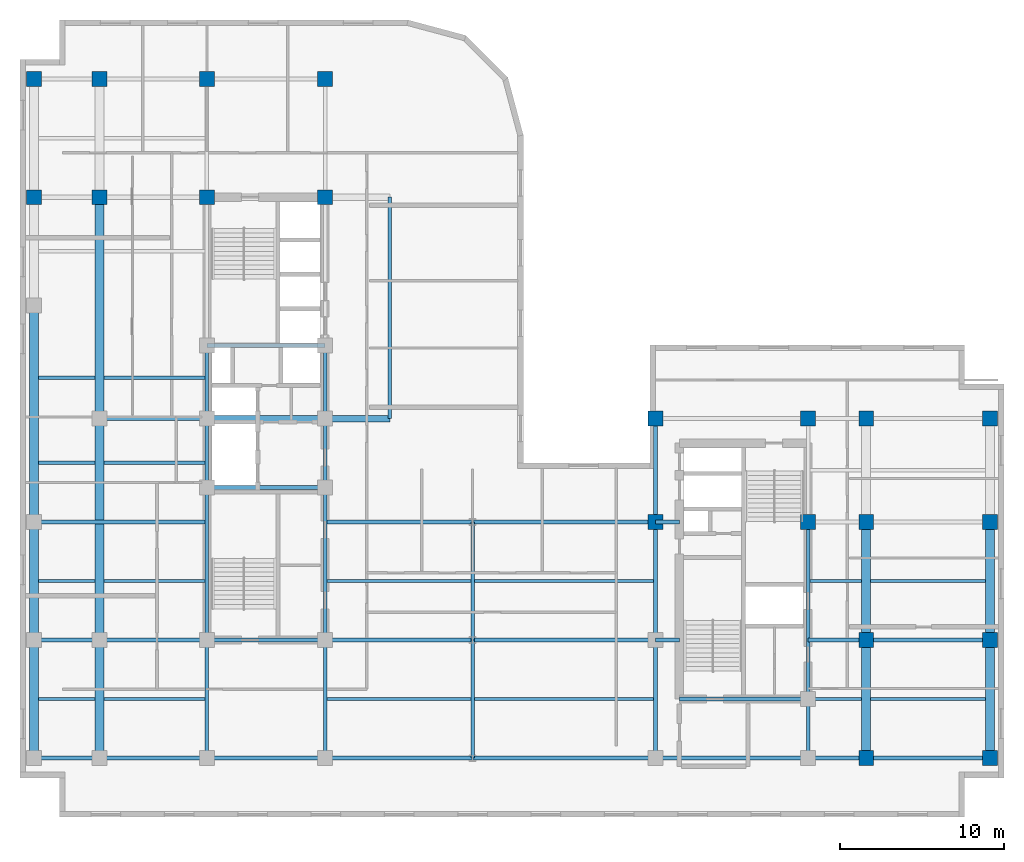
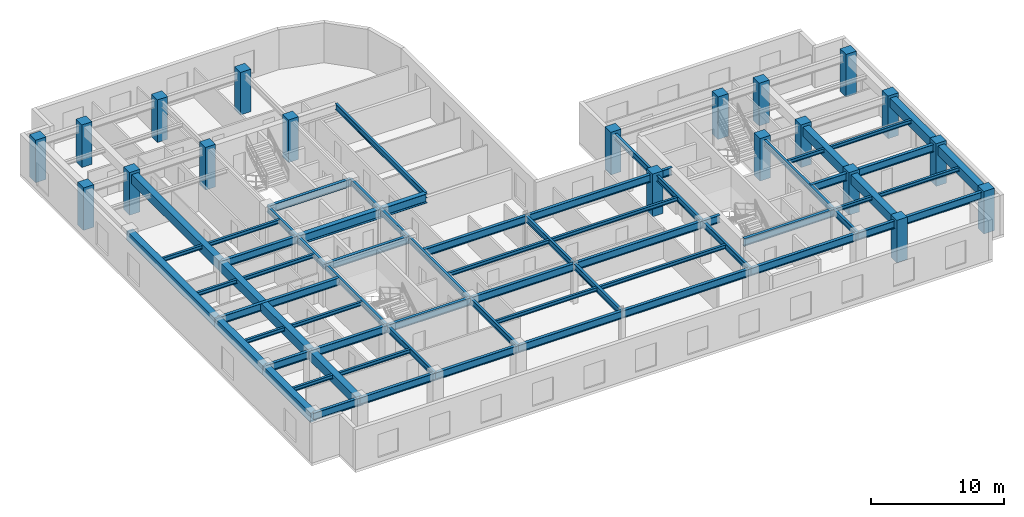
# One storey, part 2 of 11: 67 beams, 20 columns.
"""IFC4 building model written with IfcOpenShell, lengths in metres."""

from ifc_helpers import new_model, entity, si_unit, converted_unit, direction, frame, origin_with_axes, origin_2d_with_axis, place, context, subcontext, project, spatial, rectangle, i_section, extrude, material, material_profile, profile_set, type_object, element, save


model = new_model("IFC4")

# Units and contexts
model_context = context("Model", 3, precision=1e-05, world=origin_with_axes(), true_north=direction((0.0, 1.0)))
body_context = subcontext(model_context, "Body", "Model", "MODEL_VIEW")
ifc_project = project(units=[si_unit("LENGTHUNIT", "METRE"), si_unit("AREAUNIT", "SQUARE_METRE"), si_unit("VOLUMEUNIT", "CUBIC_METRE"), converted_unit("PLANEANGLEUNIT", "DEGREE", entity("IfcPlaneAngleMeasure", 0.017453292519943295), si_unit("PLANEANGLEUNIT", "RADIAN"), dimensions=[0, 0, 0, 0, 0, 0, 0]), si_unit("MASSUNIT", "GRAM", prefix="KILO"), si_unit("THERMODYNAMICTEMPERATUREUNIT", "KELVIN")], contexts=[model_context])

# Site, building, storey
site_placement = place(None, origin_with_axes())
site = spatial("IfcSite", under=ifc_project, at=site_placement, CompositionType="ELEMENT")
building_placement = place(site_placement, origin_with_axes())
building = spatial("IfcBuilding", under=site, at=building_placement, Name="Varnlund Millrace Tower", CompositionType="ELEMENT")
storey_placement = place(building_placement, frame((0.0, 0.0, 208.2), z_axis=(0.0, 0.0, 1.0), x_axis=(1.0, 0.0, 0.0)))
storey = spatial("IfcBuildingStorey", under=building, at=storey_placement, Name="L51", CompositionType="ELEMENT", Elevation=208.2)

# Columns
ifc_material_1 = material(Name="Concrete C70/85", Category="concrete")
ifc_material_profile_1 = material_profile(ifc_material_1, rectangle(XDim=0.9, YDim=0.9, at=origin_2d_with_axis()), Name="Concrete C70/85")
ifc_profile_set_1 = profile_set([ifc_material_profile_1], Name="Concrete C70/85")
column_type = type_object("IfcColumnType", Name="Type-Col-RC900-C70", PredefinedType="COLUMN", material=ifc_profile_set_1)
for number, where, z_axis, x_axis, name in (
    (1, (11.4, 37.8, 0.0), (0.0, 0.0, 1.0), (1.0, 0.0, 0.0), "Type-Col-RC900-C70"),
    (2, (11.4, 45.0, 0.0), (0.0, 0.0, 1.0), (1.0, 0.0, 0.0), "Type-Col-RC900-C70"),
    (3, (18.6, 37.8, 0.0), (0.0, 0.0, 1.0), (1.0, 0.0, 0.0), "Type-Col-RC900-C70"),
    (4, (18.6, 45.0, 0.0), (0.0, 0.0, 1.0), (1.0, 0.0, 0.0), "Type-Col-RC900-C70"),
    (5, (4.85, 37.8, 0.0), (0.0, 0.0, 1.0), (1.0, 0.0, 0.0), "Type-Col-RC900-C70"),
    (6, (4.85, 45.0, 0.0), (0.0, 0.0, 1.0), (1.0, 0.0, 0.0), "Type-Col-RC900-C70"),
    (7, (0.85, 37.8, 0.0), (0.0, 0.0, 1.0), (1.0, 0.0, 0.0), "Type-Col-RC900-C70"),
    (8, (0.85, 45.0, 0.0), (0.0, 0.0, 1.0), (1.0, 0.0, 0.0), "Type-Col-RC900-C70"),
    (9, (38.75, 18.0, 0.0), (0.0, 0.0, 1.0), (1.0, 0.0, 0.0), "Type-Col-RC900-C70"),
    (10, (38.75, 24.3, 0.0), (0.0, 0.0, 1.0), (1.0, 0.0, 0.0), "Type-Col-RC900-C70"),
    (11, (48.05, 18.0, 0.0), (0.0, 0.0, 1.0), (1.0, 0.0, 0.0), "Type-Col-RC900-C70"),
    (12, (48.05, 24.3, 0.0), (0.0, 0.0, 1.0), (1.0, 0.0, 0.0), "Type-Col-RC900-C70"),
    (13, (51.6, 3.6, 0.0), (0.0, 0.0, 1.0), (1.0, 0.0, 0.0), "Type-Col-RC900-C70"),
    (14, (51.6, 10.8, 0.0), (0.0, 0.0, 1.0), (1.0, 0.0, 0.0), "Type-Col-RC900-C70"),
    (15, (51.6, 18.0, 0.0), (0.0, 0.0, 1.0), (1.0, 0.0, 0.0), "Type-Col-RC900-C70"),
    (16, (51.6, 24.3, 0.0), (0.0, 0.0, 1.0), (1.0, 0.0, 0.0), "Type-Col-RC900-C70"),
    (17, (59.15, 3.6, 0.0), (0.0, 0.0, 1.0), (1.0, 0.0, 0.0), "Type-Col-RC900-C70"),
    (18, (59.15, 10.8, 0.0), (0.0, 0.0, 1.0), (1.0, 0.0, 0.0), "Type-Col-RC900-C70"),
    (19, (59.15, 18.0, 0.0), (0.0, 0.0, 1.0), (1.0, 0.0, 0.0), "Type-Col-RC900-C70"),
    (20, (59.15, 24.3, 0.0), (0.0, 0.0, 1.0), (1.0, 0.0, 0.0), "Type-Col-RC900-C70"),
):
    element("IfcColumn", number, at=place(storey_placement, frame(where, z_axis=z_axis, x_axis=x_axis)), inside=storey, type_object=column_type, Name=name, PredefinedType="COLUMN", context=body_context, shape_type="SweptSolid", body=[
        extrude(rectangle(XDim=0.9, YDim=0.9, at=origin_2d_with_axis()), origin_with_axes(), (0.0, 0.0, 1.0), 3.9),
    ])

# Beams
ifc_material_2 = material(Name="Steel ASTM A992 Grade 50", Category="steel")
ifc_material_profile_2 = material_profile(ifc_material_2, i_section(OverallWidth=0.209, OverallDepth=0.533, WebThickness=0.0102, FlangeThickness=0.0156, FilletRadius=0.014, at=origin_2d_with_axis()), Name="Steel ASTM A992 Grade 50")
ifc_profile_set_2 = profile_set([ifc_material_profile_2], Name="Steel ASTM A992 Grade 50")
beam_type_1 = type_object("IfcBeamType", Name="Type-Beam-W21X62", PredefinedType="BEAM", material=ifc_profile_set_2)
beam_1_placement = place(storey_placement, frame((22.55, 24.3, 3.3935), z_axis=(0.0, 1.0, 0.0), x_axis=(-1.0, 0.0, 0.0)))
element("IfcBeam", 21, at=beam_1_placement, inside=storey, type_object=beam_type_1, Name="Type-Beam-W21X62", PredefinedType="BEAM", context=body_context, shape_type="SweptSolid", body=[
    extrude(i_section(OverallWidth=0.209, OverallDepth=0.533, WebThickness=0.0102, FlangeThickness=0.0156, FilletRadius=0.014, at=origin_2d_with_axis()), origin_with_axes(), (0.0, 0.0, 1.0), 13.5),
])
ifc_material_profile_3 = material_profile(ifc_material_2, i_section(OverallWidth=0.214, OverallDepth=0.549, WebThickness=0.0147, FlangeThickness=0.0236, FilletRadius=0.015, at=origin_2d_with_axis()), Name="Steel ASTM A992 Grade 50")
ifc_profile_set_3 = profile_set([ifc_material_profile_3], Name="Steel ASTM A992 Grade 50")
beam_type_2 = type_object("IfcBeamType", Name="Type-Beam-W21X93", PredefinedType="BEAM", material=ifc_profile_set_3)
beam_2_placement = place(storey_placement, frame((11.4, 3.6, 3.3855), z_axis=(0.0, 1.0, 0.0), x_axis=(-1.0, 0.0, 0.0)))
element("IfcBeam", 22, at=beam_2_placement, inside=storey, type_object=beam_type_2, Name="Type-Beam-W21X93", PredefinedType="BEAM", context=body_context, shape_type="SweptSolid", body=[
    extrude(i_section(OverallWidth=0.214, OverallDepth=0.549, WebThickness=0.0147, FlangeThickness=0.0236, FilletRadius=0.015, at=origin_2d_with_axis()), origin_with_axes(), (0.0, 0.0, 1.0), 7.2),
])
beam_3_placement = place(storey_placement, frame((11.4, 10.8, 3.3855), z_axis=(0.0, 1.0, 0.0), x_axis=(-1.0, 0.0, 0.0)))
element("IfcBeam", 23, at=beam_3_placement, inside=storey, type_object=beam_type_2, Name="Type-Beam-W21X93", PredefinedType="BEAM", context=body_context, shape_type="SweptSolid", body=[
    extrude(i_section(OverallWidth=0.214, OverallDepth=0.549, WebThickness=0.0147, FlangeThickness=0.0236, FilletRadius=0.015, at=origin_2d_with_axis()), origin_with_axes(), (0.0, 0.0, 1.0), 9.3),
])
beam_4_placement = place(storey_placement, frame((11.4, 20.1, 3.3855), z_axis=(0.0, 1.0, 0.0), x_axis=(-1.0, 0.0, 0.0)))
element("IfcBeam", 24, at=beam_4_placement, inside=storey, type_object=beam_type_2, Name="Type-Beam-W21X93", PredefinedType="BEAM", context=body_context, shape_type="SweptSolid", body=[
    extrude(i_section(OverallWidth=0.214, OverallDepth=0.549, WebThickness=0.0147, FlangeThickness=0.0236, FilletRadius=0.015, at=origin_2d_with_axis()), origin_with_axes(), (0.0, 0.0, 1.0), 4.2),
])
beam_5_placement = place(storey_placement, frame((11.4, 24.3, 3.3855), z_axis=(0.0, 1.0, 0.0), x_axis=(-1.0, 0.0, 0.0)))
element("IfcBeam", 25, at=beam_5_placement, inside=storey, type_object=beam_type_2, Name="Type-Beam-W21X93", PredefinedType="BEAM", context=body_context, shape_type="SweptSolid", body=[
    extrude(i_section(OverallWidth=0.214, OverallDepth=0.549, WebThickness=0.0147, FlangeThickness=0.0236, FilletRadius=0.015, at=origin_2d_with_axis()), origin_with_axes(), (0.0, 0.0, 1.0), 4.45),
])
beam_6_placement = place(storey_placement, frame((18.6, 3.6, 3.3855), z_axis=(0.0, 1.0, 0.0), x_axis=(-1.0, 0.0, 0.0)))
element("IfcBeam", 26, at=beam_6_placement, inside=storey, type_object=beam_type_2, Name="Type-Beam-W21X93", PredefinedType="BEAM", context=body_context, shape_type="SweptSolid", body=[
    extrude(i_section(OverallWidth=0.214, OverallDepth=0.549, WebThickness=0.0147, FlangeThickness=0.0236, FilletRadius=0.015, at=origin_2d_with_axis()), origin_with_axes(), (0.0, 0.0, 1.0), 7.2),
])
beam_7_placement = place(storey_placement, frame((18.6, 10.8, 3.3855), z_axis=(0.0, 1.0, 0.0), x_axis=(-1.0, 0.0, 0.0)))
element("IfcBeam", 27, at=beam_7_placement, inside=storey, type_object=beam_type_2, Name="Type-Beam-W21X93", PredefinedType="BEAM", context=body_context, shape_type="SweptSolid", body=[
    extrude(i_section(OverallWidth=0.214, OverallDepth=0.549, WebThickness=0.0147, FlangeThickness=0.0236, FilletRadius=0.015, at=origin_2d_with_axis()), origin_with_axes(), (0.0, 0.0, 1.0), 9.3),
])
beam_8_placement = place(storey_placement, frame((18.6, 20.1, 3.3855), z_axis=(0.0, 1.0, 0.0), x_axis=(-1.0, 0.0, 0.0)))
element("IfcBeam", 28, at=beam_8_placement, inside=storey, type_object=beam_type_2, Name="Type-Beam-W21X93", PredefinedType="BEAM", context=body_context, shape_type="SweptSolid", body=[
    extrude(i_section(OverallWidth=0.214, OverallDepth=0.549, WebThickness=0.0147, FlangeThickness=0.0236, FilletRadius=0.015, at=origin_2d_with_axis()), origin_with_axes(), (0.0, 0.0, 1.0), 4.2),
])
beam_9_placement = place(storey_placement, frame((18.6, 24.3, 3.3855), z_axis=(0.0, 1.0, 0.0), x_axis=(-1.0, 0.0, 0.0)))
element("IfcBeam", 29, at=beam_9_placement, inside=storey, type_object=beam_type_2, Name="Type-Beam-W21X93", PredefinedType="BEAM", context=body_context, shape_type="SweptSolid", body=[
    extrude(i_section(OverallWidth=0.214, OverallDepth=0.549, WebThickness=0.0147, FlangeThickness=0.0236, FilletRadius=0.015, at=origin_2d_with_axis()), origin_with_axes(), (0.0, 0.0, 1.0), 4.45),
])
for number, where, z_axis, x_axis, name in (
    (30, (27.6, 3.6, 3.3855), (0.0, 1.0, 0.0), (-1.0, 0.0, 0.0), "Type-Beam-W21X93"),
    (31, (27.6, 10.8, 3.3855), (0.0, 1.0, 0.0), (-1.0, 0.0, 0.0), "Type-Beam-W21X93"),
    (32, (38.75, 3.6, 3.3855), (0.0, 1.0, 0.0), (-1.0, 0.0, 0.0), "Type-Beam-W21X93"),
    (33, (38.75, 10.8, 3.3855), (0.0, 1.0, 0.0), (-1.0, 0.0, 0.0), "Type-Beam-W21X93"),
):
    element("IfcBeam", number, at=place(storey_placement, frame(where, z_axis=z_axis, x_axis=x_axis)), inside=storey, type_object=beam_type_2, Name=name, PredefinedType="BEAM", context=body_context, shape_type="SweptSolid", body=[
        extrude(i_section(OverallWidth=0.214, OverallDepth=0.549, WebThickness=0.0147, FlangeThickness=0.0236, FilletRadius=0.015, at=origin_2d_with_axis()), origin_with_axes(), (0.0, 0.0, 1.0), 7.2),
    ])
beam_10_placement = place(storey_placement, frame((38.75, 18.0, 3.3855), z_axis=(0.0, 1.0, 0.0), x_axis=(-1.0, 0.0, 0.0)))
element("IfcBeam", 34, at=beam_10_placement, inside=storey, type_object=beam_type_2, Name="Type-Beam-W21X93", PredefinedType="BEAM", context=body_context, shape_type="SweptSolid", body=[
    extrude(i_section(OverallWidth=0.214, OverallDepth=0.549, WebThickness=0.0147, FlangeThickness=0.0236, FilletRadius=0.015, at=origin_2d_with_axis()), origin_with_axes(), (0.0, 0.0, 1.0), 6.3),
])
beam_11_placement = place(storey_placement, frame((48.05, 3.6, 3.3855), z_axis=(0.0, 1.0, 0.0), x_axis=(-1.0, 0.0, 0.0)))
element("IfcBeam", 35, at=beam_11_placement, inside=storey, type_object=beam_type_2, Name="Type-Beam-W21X93", PredefinedType="BEAM", context=body_context, shape_type="SweptSolid", body=[
    extrude(i_section(OverallWidth=0.214, OverallDepth=0.549, WebThickness=0.0147, FlangeThickness=0.0236, FilletRadius=0.015, at=origin_2d_with_axis()), origin_with_axes(), (0.0, 0.0, 1.0), 3.6),
])
beam_12_placement = place(storey_placement, frame((48.05, 7.2, 3.3855), z_axis=(0.0, 1.0, 0.0), x_axis=(-1.0, 0.0, 0.0)))
element("IfcBeam", 36, at=beam_12_placement, inside=storey, type_object=beam_type_2, Name="Type-Beam-W21X93", PredefinedType="BEAM", context=body_context, shape_type="SweptSolid", body=[
    extrude(i_section(OverallWidth=0.214, OverallDepth=0.549, WebThickness=0.0147, FlangeThickness=0.0236, FilletRadius=0.015, at=origin_2d_with_axis()), origin_with_axes(), (0.0, 0.0, 1.0), 10.8),
])
ifc_material_profile_4 = material_profile(ifc_material_2, i_section(OverallWidth=0.256, OverallDepth=0.693, WebThickness=0.0145, FlangeThickness=0.0236, FilletRadius=0.018, at=origin_2d_with_axis()), Name="Steel ASTM A992 Grade 50")
ifc_profile_set_4 = profile_set([ifc_material_profile_4], Name="Steel ASTM A992 Grade 50")
beam_type_3 = type_object("IfcBeamType", Name="Type-Girder-W27X114", PredefinedType="USERDEFINED", material=ifc_profile_set_4)
beam_13_placement = place(storey_placement, frame((0.85, 3.6, 3.3135), z_axis=(1.0, 0.0, 0.0), x_axis=(0.0, 1.0, 0.0)))
element("IfcBeam", 37, at=beam_13_placement, inside=storey, type_object=beam_type_3, Name="Type-Girder-W27X114", ObjectType="GIRDER", PredefinedType="USERDEFINED", context=body_context, shape_type="SweptSolid", body=[
    extrude(i_section(OverallWidth=0.256, OverallDepth=0.693, WebThickness=0.0145, FlangeThickness=0.0236, FilletRadius=0.018, at=origin_2d_with_axis()), origin_with_axes(), (0.0, 0.0, 1.0), 4.0),
])
beam_14_placement = place(storey_placement, frame((4.85, 3.6, 3.3135), z_axis=(1.0, 0.0, 0.0), x_axis=(0.0, 1.0, 0.0)))
element("IfcBeam", 38, at=beam_14_placement, inside=storey, type_object=beam_type_3, Name="Type-Girder-W27X114", ObjectType="GIRDER", PredefinedType="USERDEFINED", context=body_context, shape_type="SweptSolid", body=[
    extrude(i_section(OverallWidth=0.256, OverallDepth=0.693, WebThickness=0.0145, FlangeThickness=0.0236, FilletRadius=0.018, at=origin_2d_with_axis()), origin_with_axes(), (0.0, 0.0, 1.0), 6.55),
])
beam_15_placement = place(storey_placement, frame((11.4, 3.6, 3.3135), z_axis=(1.0, 0.0, 0.0), x_axis=(0.0, 1.0, 0.0)))
element("IfcBeam", 39, at=beam_15_placement, inside=storey, type_object=beam_type_3, Name="Type-Girder-W27X114", ObjectType="GIRDER", PredefinedType="USERDEFINED", context=body_context, shape_type="SweptSolid", body=[
    extrude(i_section(OverallWidth=0.256, OverallDepth=0.693, WebThickness=0.0145, FlangeThickness=0.0236, FilletRadius=0.018, at=origin_2d_with_axis()), origin_with_axes(), (0.0, 0.0, 1.0), 7.2),
])
beam_16_placement = place(storey_placement, frame((18.6, 3.6, 3.3135), z_axis=(1.0, 0.0, 0.0), x_axis=(0.0, 1.0, 0.0)))
element("IfcBeam", 40, at=beam_16_placement, inside=storey, type_object=beam_type_3, Name="Type-Girder-W27X114", ObjectType="GIRDER", PredefinedType="USERDEFINED", context=body_context, shape_type="SweptSolid", body=[
    extrude(i_section(OverallWidth=0.256, OverallDepth=0.693, WebThickness=0.0145, FlangeThickness=0.0236, FilletRadius=0.018, at=origin_2d_with_axis()), origin_with_axes(), (0.0, 0.0, 1.0), 9.0),
])
beam_17_placement = place(storey_placement, frame((27.6, 3.6, 3.3135), z_axis=(1.0, 0.0, 0.0), x_axis=(0.0, 1.0, 0.0)))
element("IfcBeam", 41, at=beam_17_placement, inside=storey, type_object=beam_type_3, Name="Type-Girder-W27X114", ObjectType="GIRDER", PredefinedType="USERDEFINED", context=body_context, shape_type="SweptSolid", body=[
    extrude(i_section(OverallWidth=0.256, OverallDepth=0.693, WebThickness=0.0145, FlangeThickness=0.0236, FilletRadius=0.018, at=origin_2d_with_axis()), origin_with_axes(), (0.0, 0.0, 1.0), 11.15),
])
beam_18_placement = place(storey_placement, frame((38.75, 3.6, 3.3135), z_axis=(1.0, 0.0, 0.0), x_axis=(0.0, 1.0, 0.0)))
element("IfcBeam", 42, at=beam_18_placement, inside=storey, type_object=beam_type_3, Name="Type-Girder-W27X114", ObjectType="GIRDER", PredefinedType="USERDEFINED", context=body_context, shape_type="SweptSolid", body=[
    extrude(i_section(OverallWidth=0.256, OverallDepth=0.693, WebThickness=0.0145, FlangeThickness=0.0236, FilletRadius=0.018, at=origin_2d_with_axis()), origin_with_axes(), (0.0, 0.0, 1.0), 9.3),
])
beam_19_placement = place(storey_placement, frame((48.05, 3.6, 3.3135), z_axis=(1.0, 0.0, 0.0), x_axis=(0.0, 1.0, 0.0)))
element("IfcBeam", 43, at=beam_19_placement, inside=storey, type_object=beam_type_3, Name="Type-Girder-W27X114", ObjectType="GIRDER", PredefinedType="USERDEFINED", context=body_context, shape_type="SweptSolid", body=[
    extrude(i_section(OverallWidth=0.256, OverallDepth=0.693, WebThickness=0.0145, FlangeThickness=0.0236, FilletRadius=0.018, at=origin_2d_with_axis()), origin_with_axes(), (0.0, 0.0, 1.0), 3.55),
])
beam_20_placement = place(storey_placement, frame((51.6, 3.6, 3.3135), z_axis=(1.0, 0.0, 0.0), x_axis=(0.0, 1.0, 0.0)))
element("IfcBeam", 44, at=beam_20_placement, inside=storey, type_object=beam_type_3, Name="Type-Girder-W27X114", ObjectType="GIRDER", PredefinedType="USERDEFINED", context=body_context, shape_type="SweptSolid", body=[
    extrude(i_section(OverallWidth=0.256, OverallDepth=0.693, WebThickness=0.0145, FlangeThickness=0.0236, FilletRadius=0.018, at=origin_2d_with_axis()), origin_with_axes(), (0.0, 0.0, 1.0), 7.55),
])
beam_21_placement = place(storey_placement, frame((40.2, 7.2, 3.3135), z_axis=(1.0, 0.0, 0.0), x_axis=(0.0, 1.0, 0.0)))
element("IfcBeam", 45, at=beam_21_placement, inside=storey, type_object=beam_type_3, Name="Type-Girder-W27X114", ObjectType="GIRDER", PredefinedType="USERDEFINED", context=body_context, shape_type="SweptSolid", body=[
    extrude(i_section(OverallWidth=0.256, OverallDepth=0.693, WebThickness=0.0145, FlangeThickness=0.0236, FilletRadius=0.018, at=origin_2d_with_axis()), origin_with_axes(), (0.0, 0.0, 1.0), 7.85),
])
beam_22_placement = place(storey_placement, frame((0.85, 10.8, 3.3135), z_axis=(1.0, 0.0, 0.0), x_axis=(0.0, 1.0, 0.0)))
element("IfcBeam", 46, at=beam_22_placement, inside=storey, type_object=beam_type_3, Name="Type-Girder-W27X114", ObjectType="GIRDER", PredefinedType="USERDEFINED", context=body_context, shape_type="SweptSolid", body=[
    extrude(i_section(OverallWidth=0.256, OverallDepth=0.693, WebThickness=0.0145, FlangeThickness=0.0236, FilletRadius=0.018, at=origin_2d_with_axis()), origin_with_axes(), (0.0, 0.0, 1.0), 4.0),
])
beam_23_placement = place(storey_placement, frame((4.85, 10.8, 3.3135), z_axis=(1.0, 0.0, 0.0), x_axis=(0.0, 1.0, 0.0)))
element("IfcBeam", 47, at=beam_23_placement, inside=storey, type_object=beam_type_3, Name="Type-Girder-W27X114", ObjectType="GIRDER", PredefinedType="USERDEFINED", context=body_context, shape_type="SweptSolid", body=[
    extrude(i_section(OverallWidth=0.256, OverallDepth=0.693, WebThickness=0.0145, FlangeThickness=0.0236, FilletRadius=0.018, at=origin_2d_with_axis()), origin_with_axes(), (0.0, 0.0, 1.0), 6.55),
])
beam_24_placement = place(storey_placement, frame((11.4, 10.8, 3.3135), z_axis=(1.0, 0.0, 0.0), x_axis=(0.0, 1.0, 0.0)))
element("IfcBeam", 48, at=beam_24_placement, inside=storey, type_object=beam_type_3, Name="Type-Girder-W27X114", ObjectType="GIRDER", PredefinedType="USERDEFINED", context=body_context, shape_type="SweptSolid", body=[
    extrude(i_section(OverallWidth=0.256, OverallDepth=0.693, WebThickness=0.0145, FlangeThickness=0.0236, FilletRadius=0.018, at=origin_2d_with_axis()), origin_with_axes(), (0.0, 0.0, 1.0), 7.2),
])
beam_25_placement = place(storey_placement, frame((18.6, 10.8, 3.3135), z_axis=(1.0, 0.0, 0.0), x_axis=(0.0, 1.0, 0.0)))
element("IfcBeam", 49, at=beam_25_placement, inside=storey, type_object=beam_type_3, Name="Type-Girder-W27X114", ObjectType="GIRDER", PredefinedType="USERDEFINED", context=body_context, shape_type="SweptSolid", body=[
    extrude(i_section(OverallWidth=0.256, OverallDepth=0.693, WebThickness=0.0145, FlangeThickness=0.0236, FilletRadius=0.018, at=origin_2d_with_axis()), origin_with_axes(), (0.0, 0.0, 1.0), 9.0),
])
beam_26_placement = place(storey_placement, frame((27.6, 10.8, 3.3135), z_axis=(1.0, 0.0, 0.0), x_axis=(0.0, 1.0, 0.0)))
element("IfcBeam", 50, at=beam_26_placement, inside=storey, type_object=beam_type_3, Name="Type-Girder-W27X114", ObjectType="GIRDER", PredefinedType="USERDEFINED", context=body_context, shape_type="SweptSolid", body=[
    extrude(i_section(OverallWidth=0.256, OverallDepth=0.693, WebThickness=0.0145, FlangeThickness=0.0236, FilletRadius=0.018, at=origin_2d_with_axis()), origin_with_axes(), (0.0, 0.0, 1.0), 11.15),
])
beam_27_placement = place(storey_placement, frame((38.75, 10.8, 3.3135), z_axis=(1.0, 0.0, 0.0), x_axis=(0.0, 1.0, 0.0)))
element("IfcBeam", 51, at=beam_27_placement, inside=storey, type_object=beam_type_3, Name="Type-Girder-W27X114", ObjectType="GIRDER", PredefinedType="USERDEFINED", context=body_context, shape_type="SweptSolid", body=[
    extrude(i_section(OverallWidth=0.256, OverallDepth=0.693, WebThickness=0.0145, FlangeThickness=0.0236, FilletRadius=0.018, at=origin_2d_with_axis()), origin_with_axes(), (0.0, 0.0, 1.0), 1.45),
])
beam_28_placement = place(storey_placement, frame((48.05, 10.8, 3.3135), z_axis=(1.0, 0.0, 0.0), x_axis=(0.0, 1.0, 0.0)))
element("IfcBeam", 52, at=beam_28_placement, inside=storey, type_object=beam_type_3, Name="Type-Girder-W27X114", ObjectType="GIRDER", PredefinedType="USERDEFINED", context=body_context, shape_type="SweptSolid", body=[
    extrude(i_section(OverallWidth=0.256, OverallDepth=0.693, WebThickness=0.0145, FlangeThickness=0.0236, FilletRadius=0.018, at=origin_2d_with_axis()), origin_with_axes(), (0.0, 0.0, 1.0), 3.55),
])
beam_29_placement = place(storey_placement, frame((51.6, 10.8, 3.3135), z_axis=(1.0, 0.0, 0.0), x_axis=(0.0, 1.0, 0.0)))
element("IfcBeam", 53, at=beam_29_placement, inside=storey, type_object=beam_type_3, Name="Type-Girder-W27X114", ObjectType="GIRDER", PredefinedType="USERDEFINED", context=body_context, shape_type="SweptSolid", body=[
    extrude(i_section(OverallWidth=0.256, OverallDepth=0.693, WebThickness=0.0145, FlangeThickness=0.0236, FilletRadius=0.018, at=origin_2d_with_axis()), origin_with_axes(), (0.0, 0.0, 1.0), 7.55),
])
beam_30_placement = place(storey_placement, frame((0.85, 18.0, 3.3135), z_axis=(1.0, 0.0, 0.0), x_axis=(0.0, 1.0, 0.0)))
element("IfcBeam", 54, at=beam_30_placement, inside=storey, type_object=beam_type_3, Name="Type-Girder-W27X114", ObjectType="GIRDER", PredefinedType="USERDEFINED", context=body_context, shape_type="SweptSolid", body=[
    extrude(i_section(OverallWidth=0.256, OverallDepth=0.693, WebThickness=0.0145, FlangeThickness=0.0236, FilletRadius=0.018, at=origin_2d_with_axis()), origin_with_axes(), (0.0, 0.0, 1.0), 10.55),
])
beam_31_placement = place(storey_placement, frame((18.6, 18.0, 3.3135), z_axis=(1.0, 0.0, 0.0), x_axis=(0.0, 1.0, 0.0)))
element("IfcBeam", 55, at=beam_31_placement, inside=storey, type_object=beam_type_3, Name="Type-Girder-W27X114", ObjectType="GIRDER", PredefinedType="USERDEFINED", context=body_context, shape_type="SweptSolid", body=[
    extrude(i_section(OverallWidth=0.256, OverallDepth=0.693, WebThickness=0.0145, FlangeThickness=0.0236, FilletRadius=0.018, at=origin_2d_with_axis()), origin_with_axes(), (0.0, 0.0, 1.0), 9.0),
])
beam_32_placement = place(storey_placement, frame((27.6, 18.0, 3.3135), z_axis=(1.0, 0.0, 0.0), x_axis=(0.0, 1.0, 0.0)))
element("IfcBeam", 56, at=beam_32_placement, inside=storey, type_object=beam_type_3, Name="Type-Girder-W27X114", ObjectType="GIRDER", PredefinedType="USERDEFINED", context=body_context, shape_type="SweptSolid", body=[
    extrude(i_section(OverallWidth=0.256, OverallDepth=0.693, WebThickness=0.0145, FlangeThickness=0.0236, FilletRadius=0.018, at=origin_2d_with_axis()), origin_with_axes(), (0.0, 0.0, 1.0), 11.15),
])
beam_33_placement = place(storey_placement, frame((38.75, 18.0, 3.3135), z_axis=(1.0, 0.0, 0.0), x_axis=(0.0, 1.0, 0.0)))
element("IfcBeam", 57, at=beam_33_placement, inside=storey, type_object=beam_type_3, Name="Type-Girder-W27X114", ObjectType="GIRDER", PredefinedType="USERDEFINED", context=body_context, shape_type="SweptSolid", body=[
    extrude(i_section(OverallWidth=0.256, OverallDepth=0.693, WebThickness=0.0145, FlangeThickness=0.0236, FilletRadius=0.018, at=origin_2d_with_axis()), origin_with_axes(), (0.0, 0.0, 1.0), 1.45),
])
beam_34_placement = place(storey_placement, frame((11.4, 20.1, 3.3135), z_axis=(1.0, 0.0, 0.0), x_axis=(0.0, 1.0, 0.0)))
element("IfcBeam", 58, at=beam_34_placement, inside=storey, type_object=beam_type_3, Name="Type-Girder-W27X114", ObjectType="GIRDER", PredefinedType="USERDEFINED", context=body_context, shape_type="SweptSolid", body=[
    extrude(i_section(OverallWidth=0.256, OverallDepth=0.693, WebThickness=0.0145, FlangeThickness=0.0236, FilletRadius=0.018, at=origin_2d_with_axis()), origin_with_axes(), (0.0, 0.0, 1.0), 7.2),
])
beam_35_placement = place(storey_placement, frame((4.85, 24.3, 3.3135), z_axis=(1.0, 0.0, 0.0), x_axis=(0.0, 1.0, 0.0)))
element("IfcBeam", 59, at=beam_35_placement, inside=storey, type_object=beam_type_3, Name="Type-Girder-W27X114", ObjectType="GIRDER", PredefinedType="USERDEFINED", context=body_context, shape_type="SweptSolid", body=[
    extrude(i_section(OverallWidth=0.256, OverallDepth=0.693, WebThickness=0.0145, FlangeThickness=0.0236, FilletRadius=0.018, at=origin_2d_with_axis()), origin_with_axes(), (0.0, 0.0, 1.0), 6.55),
])
beam_36_placement = place(storey_placement, frame((11.4, 28.75, 3.3135), z_axis=(1.0, 0.0, 0.0), x_axis=(0.0, 1.0, 0.0)))
element("IfcBeam", 60, at=beam_36_placement, inside=storey, type_object=beam_type_3, Name="Type-Girder-W27X114", ObjectType="GIRDER", PredefinedType="USERDEFINED", context=body_context, shape_type="SweptSolid", body=[
    extrude(i_section(OverallWidth=0.256, OverallDepth=0.693, WebThickness=0.0145, FlangeThickness=0.0236, FilletRadius=0.018, at=origin_2d_with_axis()), origin_with_axes(), (0.0, 0.0, 1.0), 7.2),
])
ifc_material_profile_5 = material_profile(ifc_material_2, i_section(OverallWidth=0.399, OverallDepth=0.855, WebThickness=0.0182, FlangeThickness=0.0292, FilletRadius=0.022, at=origin_2d_with_axis()), Name="Steel ASTM A992 Grade 50")
ifc_profile_set_5 = profile_set([ifc_material_profile_5], Name="Steel ASTM A992 Grade 50")
beam_type_4 = type_object("IfcBeamType", Name="Type-Girder-W33X201", PredefinedType="USERDEFINED", material=ifc_profile_set_5)
beam_37_placement = place(storey_placement, frame((11.4, 24.3, 3.2325), z_axis=(1.0, 0.0, 0.0), x_axis=(0.0, 1.0, 0.0)))
element("IfcBeam", 61, at=beam_37_placement, inside=storey, type_object=beam_type_4, Name="Type-Girder-W33X201", ObjectType="GIRDER", PredefinedType="USERDEFINED", context=body_context, shape_type="SweptSolid", body=[
    extrude(i_section(OverallWidth=0.399, OverallDepth=0.855, WebThickness=0.0182, FlangeThickness=0.0292, FilletRadius=0.022, at=origin_2d_with_axis()), origin_with_axes(), (0.0, 0.0, 1.0), 11.15),
])
ifc_material_profile_6 = material_profile(ifc_material_2, i_section(OverallWidth=0.204, OverallDepth=0.35, WebThickness=0.0086, FlangeThickness=0.0151, FilletRadius=0.013, at=origin_2d_with_axis()), Name="Steel ASTM A992 Grade 50")
ifc_profile_set_6 = profile_set([ifc_material_profile_6], Name="Steel ASTM A992 Grade 50")
beam_type_5 = type_object("IfcBeamType", Name="Type-Joist-W14X48", PredefinedType="JOIST", material=ifc_profile_set_6)
for number, where, z_axis, x_axis, name in (
    (62, (1.125, 7.2, 3.485), (1.0, 0.0, 0.0), (0.0, 1.0, 0.0), "Type-Joist-W14X48"),
    (63, (1.125, 14.4, 3.485), (1.0, 0.0, 0.0), (0.0, 1.0, 0.0), "Type-Joist-W14X48"),
    (64, (1.125, 21.6, 3.485), (1.0, 0.0, 0.0), (0.0, 1.0, 0.0), "Type-Joist-W14X48"),
    (65, (1.125, 26.8, 3.485), (1.0, 0.0, 0.0), (0.0, 1.0, 0.0), "Type-Joist-W14X48"),
):
    element("IfcBeam", number, at=place(storey_placement, frame(where, z_axis=z_axis, x_axis=x_axis)), inside=storey, type_object=beam_type_5, Name=name, PredefinedType="JOIST", context=body_context, shape_type="SweptSolid", body=[
        extrude(i_section(OverallWidth=0.204, OverallDepth=0.35, WebThickness=0.0086, FlangeThickness=0.0151, FilletRadius=0.013, at=origin_2d_with_axis()), origin_with_axes(), (0.0, 0.0, 1.0), 3.45),
    ])
for number, where, z_axis, x_axis, name in (
    (66, (5.125, 7.2, 3.485), (1.0, 0.0, 0.0), (0.0, 1.0, 0.0), "Type-Joist-W14X48"),
    (67, (5.125, 14.4, 3.485), (1.0, 0.0, 0.0), (0.0, 1.0, 0.0), "Type-Joist-W14X48"),
    (68, (5.125, 21.6, 3.485), (1.0, 0.0, 0.0), (0.0, 1.0, 0.0), "Type-Joist-W14X48"),
    (69, (5.125, 26.8, 3.485), (1.0, 0.0, 0.0), (0.0, 1.0, 0.0), "Type-Joist-W14X48"),
):
    element("IfcBeam", number, at=place(storey_placement, frame(where, z_axis=z_axis, x_axis=x_axis)), inside=storey, type_object=beam_type_5, Name=name, PredefinedType="JOIST", context=body_context, shape_type="SweptSolid", body=[
        extrude(i_section(OverallWidth=0.204, OverallDepth=0.35, WebThickness=0.0086, FlangeThickness=0.0151, FilletRadius=0.013, at=origin_2d_with_axis()), origin_with_axes(), (0.0, 0.0, 1.0), 6.168),
    ])
for number, where, z_axis, x_axis, name in (
    (70, (48.157, 7.2, 3.485), (1.0, 0.0, 0.0), (0.0, 1.0, 0.0), "Type-Joist-W14X48"),
    (71, (48.157, 14.4, 3.485), (1.0, 0.0, 0.0), (0.0, 1.0, 0.0), "Type-Joist-W14X48"),
):
    element("IfcBeam", number, at=place(storey_placement, frame(where, z_axis=z_axis, x_axis=x_axis)), inside=storey, type_object=beam_type_5, Name=name, PredefinedType="JOIST", context=body_context, shape_type="SweptSolid", body=[
        extrude(i_section(OverallWidth=0.204, OverallDepth=0.35, WebThickness=0.0086, FlangeThickness=0.0151, FilletRadius=0.013, at=origin_2d_with_axis()), origin_with_axes(), (0.0, 0.0, 1.0), 3.168),
    ])
for number, where, z_axis, x_axis, name in (
    (72, (51.875, 7.2, 3.485), (1.0, 0.0, 0.0), (0.0, 1.0, 0.0), "Type-Joist-W14X48"),
    (73, (51.875, 14.4, 3.485), (1.0, 0.0, 0.0), (0.0, 1.0, 0.0), "Type-Joist-W14X48"),
):
    element("IfcBeam", number, at=place(storey_placement, frame(where, z_axis=z_axis, x_axis=x_axis)), inside=storey, type_object=beam_type_5, Name=name, PredefinedType="JOIST", context=body_context, shape_type="SweptSolid", body=[
        extrude(i_section(OverallWidth=0.204, OverallDepth=0.35, WebThickness=0.0086, FlangeThickness=0.0151, FilletRadius=0.013, at=origin_2d_with_axis()), origin_with_axes(), (0.0, 0.0, 1.0), 7.0),
    ])
for number, where, z_axis, x_axis, name in (
    (74, (18.707, 7.2, 3.485), (1.0, 0.0, 0.0), (0.0, 1.0, 0.0), "Type-Joist-W14X48"),
    (75, (18.707, 14.4, 3.485), (1.0, 0.0, 0.0), (0.0, 1.0, 0.0), "Type-Joist-W14X48"),
):
    element("IfcBeam", number, at=place(storey_placement, frame(where, z_axis=z_axis, x_axis=x_axis)), inside=storey, type_object=beam_type_5, Name=name, PredefinedType="JOIST", context=body_context, shape_type="SweptSolid", body=[
        extrude(i_section(OverallWidth=0.204, OverallDepth=0.35, WebThickness=0.0086, FlangeThickness=0.0151, FilletRadius=0.013, at=origin_2d_with_axis()), origin_with_axes(), (0.0, 0.0, 1.0), 8.786),
    ])
for number, where, z_axis, x_axis, name in (
    (76, (27.707, 7.2, 3.485), (1.0, 0.0, 0.0), (0.0, 1.0, 0.0), "Type-Joist-W14X48"),
    (77, (27.707, 14.4, 3.485), (1.0, 0.0, 0.0), (0.0, 1.0, 0.0), "Type-Joist-W14X48"),
):
    element("IfcBeam", number, at=place(storey_placement, frame(where, z_axis=z_axis, x_axis=x_axis)), inside=storey, type_object=beam_type_5, Name=name, PredefinedType="JOIST", context=body_context, shape_type="SweptSolid", body=[
        extrude(i_section(OverallWidth=0.204, OverallDepth=0.35, WebThickness=0.0086, FlangeThickness=0.0151, FilletRadius=0.013, at=origin_2d_with_axis()), origin_with_axes(), (0.0, 0.0, 1.0), 10.936),
    ])
ifc_material_3 = material(Name="Concrete C60/75", Category="concrete")
ifc_material_profile_7 = material_profile(ifc_material_3, rectangle(XDim=0.55, YDim=0.85, at=origin_2d_with_axis()), Name="Concrete C60/75")
ifc_profile_set_7 = profile_set([ifc_material_profile_7], Name="Concrete C60/75")
beam_type_6 = type_object("IfcBeamType", Name="Type-Spandrel-RC550X850", PredefinedType="SPANDREL", material=ifc_profile_set_7)
for number, where, z_axis, x_axis, name in (
    (78, (0.85, 3.6, 3.235), (0.0, 1.0, 0.0), (-1.0, 0.0, 0.0), "Type-Spandrel-RC550X850"),
    (79, (0.85, 10.8, 3.235), (0.0, 1.0, 0.0), (-1.0, 0.0, 0.0), "Type-Spandrel-RC550X850"),
):
    element("IfcBeam", number, at=place(storey_placement, frame(where, z_axis=z_axis, x_axis=x_axis)), inside=storey, type_object=beam_type_6, Name=name, PredefinedType="SPANDREL", context=body_context, shape_type="SweptSolid", body=[
        extrude(rectangle(XDim=0.55, YDim=0.85, at=origin_2d_with_axis()), origin_with_axes(), (0.0, 0.0, 1.0), 7.2),
    ])
beam_38_placement = place(storey_placement, frame((0.85, 18.0, 3.235), z_axis=(0.0, 1.0, 0.0), x_axis=(-1.0, 0.0, 0.0)))
element("IfcBeam", 80, at=beam_38_placement, inside=storey, type_object=beam_type_6, Name="Type-Spandrel-RC550X850", PredefinedType="SPANDREL", context=body_context, shape_type="SweptSolid", body=[
    extrude(rectangle(XDim=0.55, YDim=0.85, at=origin_2d_with_axis()), origin_with_axes(), (0.0, 0.0, 1.0), 13.2),
])
beam_39_placement = place(storey_placement, frame((4.85, 3.6, 3.235), z_axis=(0.0, 1.0, 0.0), x_axis=(-1.0, 0.0, 0.0)))
element("IfcBeam", 81, at=beam_39_placement, inside=storey, type_object=beam_type_6, Name="Type-Spandrel-RC550X850", PredefinedType="SPANDREL", context=body_context, shape_type="SweptSolid", body=[
    extrude(rectangle(XDim=0.55, YDim=0.85, at=origin_2d_with_axis()), origin_with_axes(), (0.0, 0.0, 1.0), 7.2),
])
for number, where, z_axis, x_axis, name in (
    (82, (4.85, 10.8, 3.235), (0.0, 1.0, 0.0), (-1.0, 0.0, 0.0), "Type-Spandrel-RC550X850"),
    (83, (4.85, 24.3, 3.235), (0.0, 1.0, 0.0), (-1.0, 0.0, 0.0), "Type-Spandrel-RC550X850"),
):
    element("IfcBeam", number, at=place(storey_placement, frame(where, z_axis=z_axis, x_axis=x_axis)), inside=storey, type_object=beam_type_6, Name=name, PredefinedType="SPANDREL", context=body_context, shape_type="SweptSolid", body=[
        extrude(rectangle(XDim=0.55, YDim=0.85, at=origin_2d_with_axis()), origin_with_axes(), (0.0, 0.0, 1.0), 13.5),
    ])
for number, where, z_axis, x_axis, name in (
    (84, (51.6, 3.6, 3.235), (0.0, 1.0, 0.0), (-1.0, 0.0, 0.0), "Type-Spandrel-RC550X850"),
    (85, (51.6, 10.8, 3.235), (0.0, 1.0, 0.0), (-1.0, 0.0, 0.0), "Type-Spandrel-RC550X850"),
    (86, (59.15, 3.6, 3.235), (0.0, 1.0, 0.0), (-1.0, 0.0, 0.0), "Type-Spandrel-RC550X850"),
    (87, (59.15, 10.8, 3.235), (0.0, 1.0, 0.0), (-1.0, 0.0, 0.0), "Type-Spandrel-RC550X850"),
):
    element("IfcBeam", number, at=place(storey_placement, frame(where, z_axis=z_axis, x_axis=x_axis)), inside=storey, type_object=beam_type_6, Name=name, PredefinedType="SPANDREL", context=body_context, shape_type="SweptSolid", body=[
        extrude(rectangle(XDim=0.55, YDim=0.85, at=origin_2d_with_axis()), origin_with_axes(), (0.0, 0.0, 1.0), 7.2),
    ])

save(model, "model.ifc")
